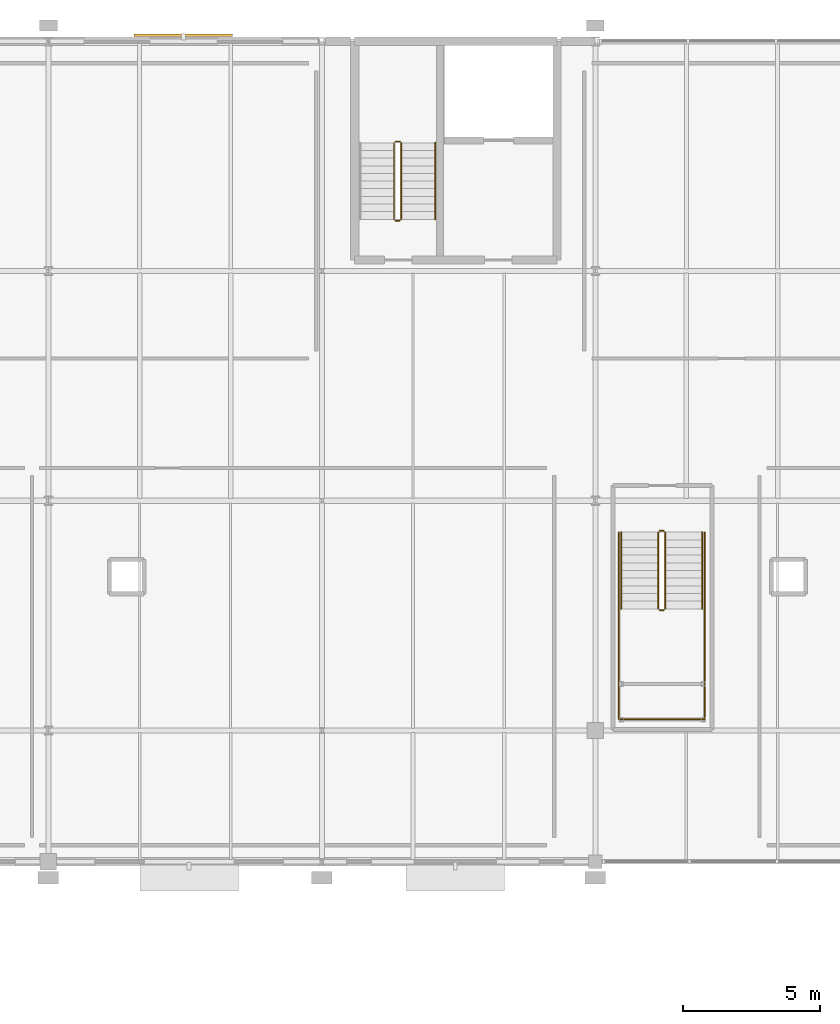
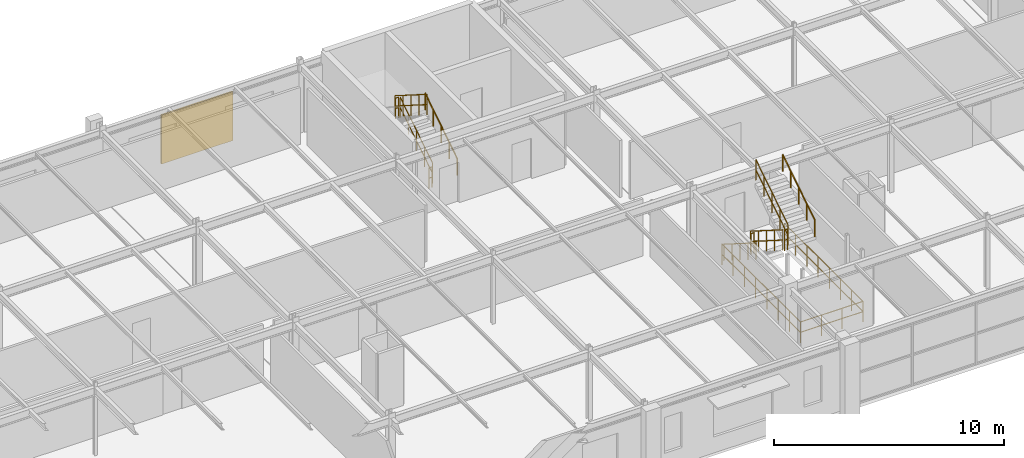
# One storey, part 94 of 98: 14 railings, 1 shading device.
"""IFC4 building model written with IfcOpenShell, lengths in metres."""

from ifc_helpers import new_model, si_unit, derived_unit, direction, frame, origin, origin_2d_with_axis, place, context, subcontext, project, spatial, rectangle, circle, extrude, material, layer, layer_set, type_object, element, save


model = new_model("IFC4")

# Units and contexts
model_context = context("Model", 3, precision=1e-05, world=origin(), true_north=direction((0.0, 1.0)))
body_context = subcontext(model_context, "Body", "Model", "MODEL_VIEW")
ifc_project = project(units=[si_unit("LENGTHUNIT", "METRE"), si_unit("AREAUNIT", "SQUARE_METRE"), si_unit("VOLUMEUNIT", "CUBIC_METRE"), si_unit("PLANEANGLEUNIT", "RADIAN"), si_unit("MASSUNIT", "GRAM", prefix="KILO"), derived_unit("THERMALTRANSMITTANCEUNIT", [(si_unit("POWERUNIT", "WATT"), 1), (si_unit("LENGTHUNIT", "METRE"), -2), (si_unit("THERMODYNAMICTEMPERATUREUNIT", "KELVIN"), -1)])], contexts=[model_context])

# Site, building, storey
site_placement = place(None, origin())
site = spatial("IfcSite", under=ifc_project, at=site_placement, CompositionType="ELEMENT")
building_placement = place(site_placement, origin())
building = spatial("IfcBuilding", under=site, at=building_placement, Name="Cinnabar Yard Market Hall", CompositionType="ELEMENT")
storey_placement = place(building_placement, frame((0.0, 0.0, 4.5)))
storey = spatial("IfcBuildingStorey", under=building, at=storey_placement, Name="L01", CompositionType="ELEMENT", Elevation=4.5)

# Railings
ifc_material_1 = material(Name="Laminated glass and bronze handrail", Category="glass")
ifc_layer_1 = layer(ifc_material_1, 0.070068359375)
ifc_layer_set_1 = layer_set([ifc_layer_1], Name="Laminated glass and bronze handrail")
railing_type_1 = type_object("IfcRailingType", Name="RL-G01", PredefinedType="BALUSTRADE", material=ifc_layer_set_1)
railing_1_placement = place(storey_placement, frame((108.300048828125, 120.050048828125, 0.17724609375)))
element("IfcRailing", 1, at=railing_1_placement, inside=storey, type_object=railing_type_1, Name="L01 ST-F4 stair guard 1", PredefinedType="BALUSTRADE", context=body_context, shape_type="SweptSolid", body=[
    extrude(circle(Radius=0.02392578125, at=origin_2d_with_axis()), frame((0.0, 0.0, 1.09619140625), z_axis=(0.0, -0.844908973607, 0.534910110503), x_axis=(1.0, 0.0, 0.0)), (0.0, 0.0, 1.0), 3.31396484375),
    extrude(circle(Radius=0.02392578125, at=origin_2d_with_axis()), frame((0.0, 0.0, 0.550048828125), z_axis=(0.0, -0.844908973607, 0.534910110503), x_axis=(1.0, 0.0, 0.0)), (0.0, 0.0, 1.0), 3.31396484375),
    extrude(circle(Radius=0.02099609375, at=origin_2d_with_axis()), origin(), (0.0, 0.0, 1.0), 1.072021484375),
    extrude(circle(Radius=0.02099609375, at=origin_2d_with_axis()), frame((0.0, -0.699951171875, 0.443115234375)), (0.0, 0.0, 1.0), 1.072021484375),
    extrude(circle(Radius=0.02099609375, at=origin_2d_with_axis()), frame((0.0, -1.39990234375, 0.88623046875)), (0.0, 0.0, 1.0), 1.072021484375),
    extrude(circle(Radius=0.02099609375, at=origin_2d_with_axis()), frame((0.0, -2.10009765625, 1.32958984375)), (0.0, 0.0, 1.0), 1.072021484375),
    extrude(circle(Radius=0.02099609375, at=origin_2d_with_axis()), frame((0.0, -2.800048828125, 1.772705078125)), (0.0, 0.0, 1.0), 1.072021484375),
])
railing_2_placement = place(storey_placement, frame((108.35009765625, 117.199951171875, 1.949951171875)))
element("IfcRailing", 2, at=railing_2_placement, inside=storey, type_object=railing_type_1, Name="L01 ST-F4 stair guard 2", PredefinedType="BALUSTRADE", context=body_context, shape_type="SweptSolid", body=[
    extrude(circle(Radius=0.02392578125, at=origin_2d_with_axis()), frame((0.0, 0.0, 1.09619140625), z_axis=(1.0, 0.0, 0.0), x_axis=(0.0, 1.0, 0.0)), (0.0, 0.0, 1.0), 0.159912109375),
    extrude(circle(Radius=0.02392578125, at=origin_2d_with_axis()), frame((0.0, 0.0, 0.550048828125), z_axis=(1.0, 0.0, 0.0), x_axis=(0.0, 1.0, 0.0)), (0.0, 0.0, 1.0), 0.159912109375),
    extrude(circle(Radius=0.02099609375, at=origin_2d_with_axis()), origin(), (0.0, 0.0, 1.0), 1.072021484375),
    extrude(circle(Radius=0.02099609375, at=origin_2d_with_axis()), frame((0.159912109375, 0.0, 0.0)), (0.0, 0.0, 1.0), 1.072021484375),
])
railing_3_placement = place(storey_placement, frame((108.56005859375, 117.25, 2.127197265625)))
element("IfcRailing", 3, at=railing_3_placement, inside=storey, type_object=railing_type_1, Name="L01 ST-F4 stair guard 3", PredefinedType="BALUSTRADE", context=body_context, shape_type="SweptSolid", body=[
    extrude(circle(Radius=0.02392578125, at=origin_2d_with_axis()), frame((0.0, 0.0, 1.09619140625), z_axis=(0.0, 0.844908973607, 0.534910110503), x_axis=(-1.0, 0.0, 0.0)), (0.0, 0.0, 1.0), 3.31396484375),
    extrude(circle(Radius=0.02392578125, at=origin_2d_with_axis()), frame((0.0, 0.0, 0.550048828125), z_axis=(0.0, 0.844908973607, 0.534910110503), x_axis=(-1.0, 0.0, 0.0)), (0.0, 0.0, 1.0), 3.31396484375),
    extrude(circle(Radius=0.02099609375, at=origin_2d_with_axis()), origin(), (0.0, 0.0, 1.0), 1.072021484375),
    extrude(circle(Radius=0.02099609375, at=origin_2d_with_axis()), frame((0.0, 0.699951171875, 0.443115234375)), (0.0, 0.0, 1.0), 1.072021484375),
    extrude(circle(Radius=0.02099609375, at=origin_2d_with_axis()), frame((0.0, 1.39990234375, 0.88623046875)), (0.0, 0.0, 1.0), 1.072021484375),
    extrude(circle(Radius=0.02099609375, at=origin_2d_with_axis()), frame((0.0, 2.10009765625, 1.32958984375)), (0.0, 0.0, 1.0), 1.072021484375),
    extrude(circle(Radius=0.02099609375, at=origin_2d_with_axis()), frame((0.0, 2.800048828125, 1.772705078125)), (0.0, 0.0, 1.0), 1.072021484375),
])
railing_4_placement = place(storey_placement, frame((108.35009765625, 120.10009765625, 0.0)))
element("IfcRailing", 4, at=railing_4_placement, inside=storey, type_object=railing_type_1, Name="L01 ST-F4 stair guard 4", PredefinedType="BALUSTRADE", context=body_context, shape_type="SweptSolid", body=[
    extrude(circle(Radius=0.02392578125, at=origin_2d_with_axis()), frame((0.0, 0.0, 1.09619140625), z_axis=(1.0, 0.0, 0.0), x_axis=(0.0, 1.0, 0.0)), (0.0, 0.0, 1.0), 0.159912109375),
    extrude(circle(Radius=0.02392578125, at=origin_2d_with_axis()), frame((0.0, 0.0, 0.550048828125), z_axis=(1.0, 0.0, 0.0), x_axis=(0.0, 1.0, 0.0)), (0.0, 0.0, 1.0), 0.159912109375),
    extrude(circle(Radius=0.02099609375, at=origin_2d_with_axis()), origin(), (0.0, 0.0, 1.0), 1.072021484375),
    extrude(circle(Radius=0.02099609375, at=origin_2d_with_axis()), frame((0.159912109375, 0.0, 0.0)), (0.0, 0.0, 1.0), 1.072021484375),
])
railing_5_placement = place(storey_placement, frame((106.860107421875, 120.050048828125, 0.0)))
element("IfcRailing", 5, at=railing_5_placement, inside=storey, type_object=railing_type_1, Name="Feature Stair ST-F4 L01 Well Guard 1", PredefinedType="BALUSTRADE", context=body_context, shape_type="SweptSolid", body=[
    extrude(circle(Radius=0.02392578125, at=origin_2d_with_axis()), frame((0.0, 0.0, 1.09619140625), z_axis=(0.0, -1.0, 0.0), x_axis=(1.0, 0.0, 0.0)), (0.0, 0.0, 1.0), 6.840087890625),
    extrude(circle(Radius=0.02392578125, at=origin_2d_with_axis()), frame((0.0, 0.0, 0.550048828125), z_axis=(0.0, -1.0, 0.0), x_axis=(1.0, 0.0, 0.0)), (0.0, 0.0, 1.0), 6.840087890625),
    extrude(circle(Radius=0.02099609375, at=origin_2d_with_axis()), origin(), (0.0, 0.0, 1.0), 1.072021484375),
    extrude(circle(Radius=0.02099609375, at=origin_2d_with_axis()), frame((0.0, -0.97705078125, 0.0)), (0.0, 0.0, 1.0), 1.072021484375),
    extrude(circle(Radius=0.02099609375, at=origin_2d_with_axis()), frame((0.0, -1.954345703125, 0.0)), (0.0, 0.0, 1.0), 1.072021484375),
    extrude(circle(Radius=0.02099609375, at=origin_2d_with_axis()), frame((0.0, -2.931396484375, 0.0)), (0.0, 0.0, 1.0), 1.072021484375),
    extrude(circle(Radius=0.02099609375, at=origin_2d_with_axis()), frame((0.0, -3.90869140625, 0.0)), (0.0, 0.0, 1.0), 1.072021484375),
    extrude(circle(Radius=0.02099609375, at=origin_2d_with_axis()), frame((0.0, -4.8857421875, 0.0)), (0.0, 0.0, 1.0), 1.072021484375),
    extrude(circle(Radius=0.02099609375, at=origin_2d_with_axis()), frame((0.0, -5.863037109375, 0.0)), (0.0, 0.0, 1.0), 1.072021484375),
    extrude(circle(Radius=0.02099609375, at=origin_2d_with_axis()), frame((0.0, -6.840087890625, 0.0)), (0.0, 0.0, 1.0), 1.072021484375),
])
railing_6_placement = place(storey_placement, frame((106.860107421875, 113.2099609375, 0.0)))
element("IfcRailing", 6, at=railing_6_placement, inside=storey, type_object=railing_type_1, Name="Feature Stair ST-F4 L01 Well Guard 2", PredefinedType="BALUSTRADE", context=body_context, shape_type="SweptSolid", body=[
    extrude(circle(Radius=0.02392578125, at=origin_2d_with_axis()), frame((0.0, 0.0, 1.09619140625), z_axis=(1.0, 0.0, 0.0), x_axis=(0.0, 1.0, 0.0)), (0.0, 0.0, 1.0), 3.139892578125),
    extrude(circle(Radius=0.02392578125, at=origin_2d_with_axis()), frame((0.0, 0.0, 0.550048828125), z_axis=(1.0, 0.0, 0.0), x_axis=(0.0, 1.0, 0.0)), (0.0, 0.0, 1.0), 3.139892578125),
    extrude(circle(Radius=0.02099609375, at=origin_2d_with_axis()), origin(), (0.0, 0.0, 1.0), 1.072021484375),
    extrude(circle(Radius=0.02099609375, at=origin_2d_with_axis()), frame((1.046630859375, 0.0, 0.0)), (0.0, 0.0, 1.0), 1.072021484375),
    extrude(circle(Radius=0.02099609375, at=origin_2d_with_axis()), frame((2.09326171875, 0.0, 0.0)), (0.0, 0.0, 1.0), 1.072021484375),
    extrude(circle(Radius=0.02099609375, at=origin_2d_with_axis()), frame((3.139892578125, 0.0, 0.0)), (0.0, 0.0, 1.0), 1.072021484375),
])
railing_7_placement = place(storey_placement, frame((110.0, 113.2099609375, 0.0)))
element("IfcRailing", 7, at=railing_7_placement, inside=storey, type_object=railing_type_1, Name="Feature Stair ST-F4 L01 Well Guard 3", PredefinedType="BALUSTRADE", context=body_context, shape_type="SweptSolid", body=[
    extrude(circle(Radius=0.02392578125, at=origin_2d_with_axis()), frame((0.0, 0.0, 1.09619140625), z_axis=(0.0, 1.0, 0.0), x_axis=(-1.0, 0.0, 0.0)), (0.0, 0.0, 1.0), 6.840087890625),
    extrude(circle(Radius=0.02392578125, at=origin_2d_with_axis()), frame((0.0, 0.0, 0.550048828125), z_axis=(0.0, 1.0, 0.0), x_axis=(-1.0, 0.0, 0.0)), (0.0, 0.0, 1.0), 6.840087890625),
    extrude(circle(Radius=0.02099609375, at=origin_2d_with_axis()), origin(), (0.0, 0.0, 1.0), 1.072021484375),
    extrude(circle(Radius=0.02099609375, at=origin_2d_with_axis()), frame((0.0, 0.97705078125, 0.0)), (0.0, 0.0, 1.0), 1.072021484375),
    extrude(circle(Radius=0.02099609375, at=origin_2d_with_axis()), frame((0.0, 1.954345703125, 0.0)), (0.0, 0.0, 1.0), 1.072021484375),
    extrude(circle(Radius=0.02099609375, at=origin_2d_with_axis()), frame((0.0, 2.931396484375, 0.0)), (0.0, 0.0, 1.0), 1.072021484375),
    extrude(circle(Radius=0.02099609375, at=origin_2d_with_axis()), frame((0.0, 3.90869140625, 0.0)), (0.0, 0.0, 1.0), 1.072021484375),
    extrude(circle(Radius=0.02099609375, at=origin_2d_with_axis()), frame((0.0, 4.8857421875, 0.0)), (0.0, 0.0, 1.0), 1.072021484375),
    extrude(circle(Radius=0.02099609375, at=origin_2d_with_axis()), frame((0.0, 5.863037109375, 0.0)), (0.0, 0.0, 1.0), 1.072021484375),
    extrude(circle(Radius=0.02099609375, at=origin_2d_with_axis()), frame((0.0, 6.840087890625, 0.0)), (0.0, 0.0, 1.0), 1.072021484375),
])
ifc_material_2 = material(Name="Galvanised steel Grade 300 (300 MPa) guardrail", Category="steel")
ifc_layer_2 = layer(ifc_material_2, 0.06005859375)
ifc_layer_set_2 = layer_set([ifc_layer_2], Name="Galvanised steel Grade 300 (300 MPa) guardrail")
railing_type_2 = type_object("IfcRailingType", Name="RL-G03", PredefinedType="GUARDRAIL", material=ifc_layer_set_2)
railing_8_placement = place(storey_placement, frame((98.89990234375, 131.489990234375, 0.17724609375)))
element("IfcRailing", 8, at=railing_8_placement, inside=storey, type_object=railing_type_2, Name="L01 ST-C5 stair guard 1", PredefinedType="GUARDRAIL", context=body_context, shape_type="SweptSolid", body=[
    extrude(circle(Radius=0.02392578125, at=origin_2d_with_axis()), frame((0.0, 0.0, 1.09619140625), z_axis=(0.0, 0.844908973607, 0.534910110503), x_axis=(-1.0, 0.0, 0.0)), (0.0, 0.0, 1.0), 3.31396484375),
    extrude(circle(Radius=0.02392578125, at=origin_2d_with_axis()), frame((0.0, 0.0, 0.550048828125), z_axis=(0.0, 0.844908973607, 0.534910110503), x_axis=(-1.0, 0.0, 0.0)), (0.0, 0.0, 1.0), 3.31396484375),
    extrude(circle(Radius=0.02099609375, at=origin_2d_with_axis()), origin(), (0.0, 0.0, 1.0), 1.072021484375),
    extrude(circle(Radius=0.02099609375, at=origin_2d_with_axis()), frame((0.0, 0.699951171875, 0.443115234375)), (0.0, 0.0, 1.0), 1.072021484375),
    extrude(circle(Radius=0.02099609375, at=origin_2d_with_axis()), frame((0.0, 1.39990234375, 0.88623046875)), (0.0, 0.0, 1.0), 1.072021484375),
    extrude(circle(Radius=0.02099609375, at=origin_2d_with_axis()), frame((0.0, 2.10009765625, 1.32958984375)), (0.0, 0.0, 1.0), 1.072021484375),
    extrude(circle(Radius=0.02099609375, at=origin_2d_with_axis()), frame((0.0, 2.800048828125, 1.772705078125)), (0.0, 0.0, 1.0), 1.072021484375),
])
railing_9_placement = place(storey_placement, frame((98.85009765625, 134.340087890625, 1.949951171875)))
element("IfcRailing", 9, at=railing_9_placement, inside=storey, type_object=railing_type_2, Name="L01 ST-C5 stair guard 2", PredefinedType="GUARDRAIL", context=body_context, shape_type="SweptSolid", body=[
    extrude(circle(Radius=0.02392578125, at=origin_2d_with_axis()), frame((0.0, 0.0, 1.09619140625), z_axis=(-1.0, 0.0, 0.0), x_axis=(0.0, -1.0, 0.0)), (0.0, 0.0, 1.0), 0.16015625),
    extrude(circle(Radius=0.02392578125, at=origin_2d_with_axis()), frame((0.0, 0.0, 0.550048828125), z_axis=(-1.0, 0.0, 0.0), x_axis=(0.0, -1.0, 0.0)), (0.0, 0.0, 1.0), 0.16015625),
    extrude(circle(Radius=0.02099609375, at=origin_2d_with_axis()), origin(), (0.0, 0.0, 1.0), 1.072021484375),
    extrude(circle(Radius=0.02099609375, at=origin_2d_with_axis()), frame((-0.16015625, 0.0, 0.0)), (0.0, 0.0, 1.0), 1.072021484375),
])
railing_10_placement = place(storey_placement, frame((98.639892578125, 134.2900390625, 2.127197265625)))
element("IfcRailing", 10, at=railing_10_placement, inside=storey, type_object=railing_type_2, Name="L01 ST-C5 stair guard 3", PredefinedType="GUARDRAIL", context=body_context, shape_type="SweptSolid", body=[
    extrude(circle(Radius=0.02392578125, at=origin_2d_with_axis()), frame((0.0, 0.0, 1.09619140625), z_axis=(0.0, -0.844908973607, 0.534910110503), x_axis=(1.0, 0.0, 0.0)), (0.0, 0.0, 1.0), 3.31396484375),
    extrude(circle(Radius=0.02392578125, at=origin_2d_with_axis()), frame((0.0, 0.0, 0.550048828125), z_axis=(0.0, -0.844908973607, 0.534910110503), x_axis=(1.0, 0.0, 0.0)), (0.0, 0.0, 1.0), 3.31396484375),
    extrude(circle(Radius=0.02099609375, at=origin_2d_with_axis()), origin(), (0.0, 0.0, 1.0), 1.072021484375),
    extrude(circle(Radius=0.02099609375, at=origin_2d_with_axis()), frame((0.0, -0.699951171875, 0.443115234375)), (0.0, 0.0, 1.0), 1.072021484375),
    extrude(circle(Radius=0.02099609375, at=origin_2d_with_axis()), frame((0.0, -1.39990234375, 0.88623046875)), (0.0, 0.0, 1.0), 1.072021484375),
    extrude(circle(Radius=0.02099609375, at=origin_2d_with_axis()), frame((0.0, -2.10009765625, 1.32958984375)), (0.0, 0.0, 1.0), 1.072021484375),
    extrude(circle(Radius=0.02099609375, at=origin_2d_with_axis()), frame((0.0, -2.800048828125, 1.772705078125)), (0.0, 0.0, 1.0), 1.072021484375),
])
railing_11_placement = place(storey_placement, frame((98.85009765625, 131.43994140625, 0.0)))
element("IfcRailing", 11, at=railing_11_placement, inside=storey, type_object=railing_type_2, Name="L01 ST-C5 stair guard 4", PredefinedType="GUARDRAIL", context=body_context, shape_type="SweptSolid", body=[
    extrude(circle(Radius=0.02392578125, at=origin_2d_with_axis()), frame((0.0, 0.0, 1.09619140625), z_axis=(-1.0, 0.0, 0.0), x_axis=(0.0, -1.0, 0.0)), (0.0, 0.0, 1.0), 0.16015625),
    extrude(circle(Radius=0.02392578125, at=origin_2d_with_axis()), frame((0.0, 0.0, 0.550048828125), z_axis=(-1.0, 0.0, 0.0), x_axis=(0.0, -1.0, 0.0)), (0.0, 0.0, 1.0), 0.16015625),
    extrude(circle(Radius=0.02099609375, at=origin_2d_with_axis()), origin(), (0.0, 0.0, 1.0), 1.072021484375),
    extrude(circle(Radius=0.02099609375, at=origin_2d_with_axis()), frame((-0.16015625, 0.0, 0.0)), (0.0, 0.0, 1.0), 1.072021484375),
])
ifc_material_3 = material(Name="Brushed stainless steel handrail", Category="steel")
ifc_layer_3 = layer(ifc_material_3, 0.050048828125)
ifc_layer_set_3 = layer_set([ifc_layer_3], Name="Brushed stainless steel handrail")
railing_type_3 = type_object("IfcRailingType", Name="RL-HR1", PredefinedType="HANDRAIL", material=ifc_layer_set_3)
railing_12_placement = place(storey_placement, frame((100.14990234375, 131.489990234375, 0.17724609375)))
element("IfcRailing", 12, at=railing_12_placement, inside=storey, type_object=railing_type_3, Name="L01 ST-C5 stair handrail 1", PredefinedType="HANDRAIL", context=body_context, shape_type="SweptSolid", body=[
    extrude(circle(Radius=0.02392578125, at=origin_2d_with_axis()), frame((0.0, 0.0, 0.8759765625), z_axis=(0.0, 0.844908973607, 0.534910110503), x_axis=(-1.0, 0.0, 0.0)), (0.0, 0.0, 1.0), 3.31396484375),
    extrude(circle(Radius=0.02099609375, at=origin_2d_with_axis()), origin(), (0.0, 0.0, 1.0), 0.851806640625),
    extrude(circle(Radius=0.02099609375, at=origin_2d_with_axis()), frame((0.0, 0.699951171875, 0.443115234375)), (0.0, 0.0, 1.0), 0.851806640625),
    extrude(circle(Radius=0.02099609375, at=origin_2d_with_axis()), frame((0.0, 1.39990234375, 0.88623046875)), (0.0, 0.0, 1.0), 0.851806640625),
    extrude(circle(Radius=0.02099609375, at=origin_2d_with_axis()), frame((0.0, 2.10009765625, 1.32958984375)), (0.0, 0.0, 1.0), 0.851806640625),
    extrude(circle(Radius=0.02099609375, at=origin_2d_with_axis()), frame((0.0, 2.800048828125, 1.772705078125)), (0.0, 0.0, 1.0), 0.851806640625),
])
railing_13_placement = place(storey_placement, frame((106.949951171875, 120.050048828125, 0.17724609375)))
element("IfcRailing", 13, at=railing_13_placement, inside=storey, type_object=railing_type_3, Name="L01 ST-F4 stair handrail 1", PredefinedType="HANDRAIL", context=body_context, shape_type="SweptSolid", body=[
    extrude(circle(Radius=0.02392578125, at=origin_2d_with_axis()), frame((0.0, 0.0, 0.8759765625), z_axis=(0.0, -0.844908973607, 0.534910110503), x_axis=(1.0, 0.0, 0.0)), (0.0, 0.0, 1.0), 3.31396484375),
    extrude(circle(Radius=0.02099609375, at=origin_2d_with_axis()), origin(), (0.0, 0.0, 1.0), 0.851806640625),
    extrude(circle(Radius=0.02099609375, at=origin_2d_with_axis()), frame((0.0, -0.699951171875, 0.443115234375)), (0.0, 0.0, 1.0), 0.851806640625),
    extrude(circle(Radius=0.02099609375, at=origin_2d_with_axis()), frame((0.0, -1.39990234375, 0.88623046875)), (0.0, 0.0, 1.0), 0.851806640625),
    extrude(circle(Radius=0.02099609375, at=origin_2d_with_axis()), frame((0.0, -2.10009765625, 1.32958984375)), (0.0, 0.0, 1.0), 0.851806640625),
    extrude(circle(Radius=0.02099609375, at=origin_2d_with_axis()), frame((0.0, -2.800048828125, 1.772705078125)), (0.0, 0.0, 1.0), 0.851806640625),
])
railing_14_placement = place(storey_placement, frame((109.909912109375, 117.25, 2.127197265625)))
element("IfcRailing", 14, at=railing_14_placement, inside=storey, type_object=railing_type_3, Name="L01 ST-F4 stair handrail 2", PredefinedType="HANDRAIL", context=body_context, shape_type="SweptSolid", body=[
    extrude(circle(Radius=0.02392578125, at=origin_2d_with_axis()), frame((0.0, 0.0, 0.8759765625), z_axis=(0.0, 0.844908973607, 0.534910110503), x_axis=(-1.0, 0.0, 0.0)), (0.0, 0.0, 1.0), 3.31396484375),
    extrude(circle(Radius=0.02099609375, at=origin_2d_with_axis()), origin(), (0.0, 0.0, 1.0), 0.851806640625),
    extrude(circle(Radius=0.02099609375, at=origin_2d_with_axis()), frame((0.0, 0.699951171875, 0.443115234375)), (0.0, 0.0, 1.0), 0.851806640625),
    extrude(circle(Radius=0.02099609375, at=origin_2d_with_axis()), frame((0.0, 1.39990234375, 0.88623046875)), (0.0, 0.0, 1.0), 0.851806640625),
    extrude(circle(Radius=0.02099609375, at=origin_2d_with_axis()), frame((0.0, 2.10009765625, 1.32958984375)), (0.0, 0.0, 1.0), 0.851806640625),
    extrude(circle(Radius=0.02099609375, at=origin_2d_with_axis()), frame((0.0, 2.800048828125, 1.772705078125)), (0.0, 0.0, 1.0), 0.851806640625),
])

# Shading device
ifc_material_4 = material(Name="Perforated weathering bronze aluminium jali screen", Category="aluminium")
shading_device_type = type_object("IfcShadingDeviceType", Name="SHD-JALI1", PredefinedType="JALOUSIE", material=ifc_material_4)
shading_device_placement = place(storey_placement, frame((90.939697265625, 138.219970703125, 0.550048828125), z_axis=(0.0, 0.0, 1.0), x_axis=(1.0, 0.0, 0.0)))
element("IfcShadingDevice", 15, at=shading_device_placement, inside=storey, type_object=shading_device_type, Name="Wing North Jali Screen L01 Bay 3", PredefinedType="JALOUSIE", context=body_context, shape_type="SweptSolid", body=[
    extrude(rectangle(XDim=3.60009765625, YDim=0.080078125, at=origin_2d_with_axis()), origin(), (0.0, 0.0, 1.0), 2.60009765625),
])

save(model, "model.ifc")
